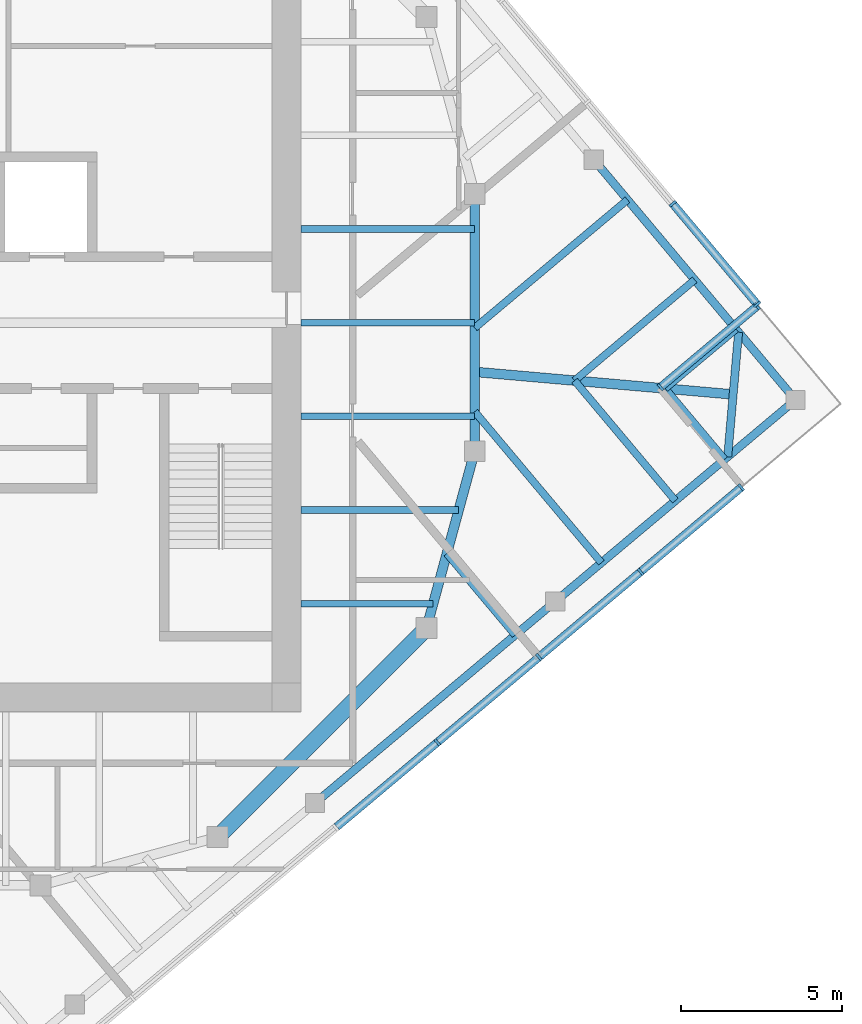
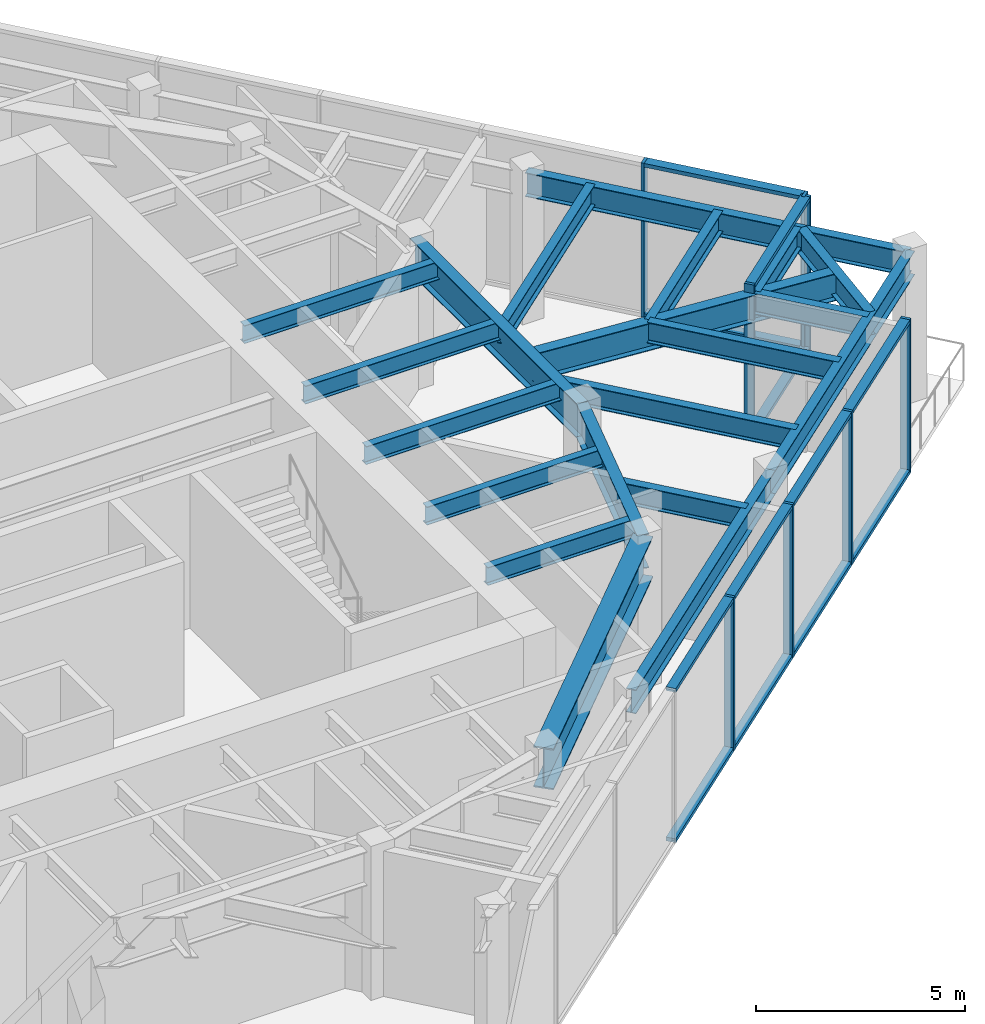
# One storey, part 4 of 11: 20 beams, 20 members, 3 elements without a shape of their own.
"""IFC4 building model written with IfcOpenShell, lengths in metres."""

from ifc_helpers import new_model, si_unit, direction, frame, origin, origin_2d, place, context, subcontext, project, spatial, rectangle, i_section, extrude, material, material_profile, profile_set, type_object, element, aggregate, save


model = new_model("IFC4")

# Units and contexts
model_context = context("Model", 3, precision=1e-05, world=origin(), true_north=direction((0.0, 1.0)))
body_context = subcontext(model_context, "Body", "Model", "MODEL_VIEW")
ifc_project = project(units=[si_unit("LENGTHUNIT", "METRE"), si_unit("AREAUNIT", "SQUARE_METRE"), si_unit("VOLUMEUNIT", "CUBIC_METRE"), si_unit("PLANEANGLEUNIT", "RADIAN"), si_unit("MASSUNIT", "GRAM", prefix="KILO")], contexts=[model_context])

# Site, building, storey
site_placement = place(None, origin())
site = spatial("IfcSite", under=ifc_project, at=site_placement, CompositionType="ELEMENT")
building_placement = place(site_placement, origin())
building = spatial("IfcBuilding", under=site, at=building_placement, Name="Torsade Residences", CompositionType="ELEMENT")
storey_placement = place(building_placement, frame((0.0, 0.0, 304.300048828125)))
storey = spatial("IfcBuildingStorey", under=building, at=storey_placement, Name="L84", CompositionType="ELEMENT", Elevation=304.300048828125)

# Beams
ifc_material_1 = material(Name="Steel grade 300", Category="steel")
ifc_material_profile_1 = material_profile(ifc_material_1, i_section(OverallWidth=0.300048828125, OverallDepth=0.800048828125, WebThickness=0.010009765625, FlangeThickness=0.02001953125, at=origin_2d()), Name="800WB146")
ifc_profile_set_1 = profile_set([ifc_material_profile_1], Name="Steel grade 300")
beam_type_1 = type_object("IfcBeamType", Name="CORNER GIRDER 800WB146", PredefinedType="BEAM", material=ifc_profile_set_1)
beam_1_placement = place(storey_placement, frame((65.53515625, 27.765869140625, 3.849853515625), z_axis=(-0.996193191806, 0.087172957961, 0.0), x_axis=(-0.087172957961, -0.996193191806, 0.0)))
element("IfcBeam", 1, at=beam_1_placement, inside=storey, type_object=beam_type_1, Name="Corner girder 05 RF", PredefinedType="BEAM", context=body_context, shape_type="SweptSolid", body=[
    extrude(i_section(OverallWidth=0.300048828125, OverallDepth=0.800048828125, WebThickness=0.010009765625, FlangeThickness=0.02001953125, at=origin_2d()), origin(), (0.0, 0.0, 1.0), 8.06591796875),
])
ifc_material_2 = material(Name="Steel grade 300", Category="steel")
ifc_material_profile_2 = material_profile(ifc_material_2, i_section(OverallWidth=0.25, OverallDepth=0.699951171875, WebThickness=0.010009765625, FlangeThickness=0.02001953125, at=origin_2d()), Name="700WB130")
ifc_profile_set_2 = profile_set([ifc_material_profile_2], Name="Steel grade 300")
beam_type_2 = type_object("IfcBeamType", Name="CORNER TRIMMER 700WB130", PredefinedType="BEAM", material=ifc_profile_set_2)
beam_2_placement = place(storey_placement, frame((65.70458984375, 29.703125, 3.89990234375), z_axis=(-0.087133464362, -0.996196646947, 0.0), x_axis=(0.996196646947, -0.087133464362, 0.0)))
element("IfcBeam", 2, at=beam_2_placement, inside=storey, type_object=beam_type_2, Name="Corner trimmer 05 RF", PredefinedType="BEAM", context=body_context, shape_type="SweptSolid", body=[
    extrude(i_section(OverallWidth=0.25, OverallDepth=0.699951171875, WebThickness=0.010009765625, FlangeThickness=0.02001953125, at=origin_2d()), origin(), (0.0, 0.0, 1.0), 3.88916015625),
])
ifc_material_3 = material(Name="Steel grade 300", Category="steel")
ifc_material_profile_3 = material_profile(ifc_material_3, i_section(OverallWidth=0.25, OverallDepth=0.699951171875, WebThickness=0.010009765625, FlangeThickness=0.02001953125, at=origin_2d()), Name="700WB130")
ifc_profile_set_3 = profile_set([ifc_material_profile_3], Name="Steel grade 300")
beam_type_3 = type_object("IfcBeamType", Name="EDGE BEAM 700WB130", PredefinedType="SPANDREL", material=ifc_profile_set_3)
for number, where, z_axis, x_axis, name in (
    (3, (52.534423828125, 15.06201171875, 3.89990234375), (0.766028856906, 0.642806184154, 0.0), (-0.642806184154, 0.766028856906, 0.0), "Edge beam 03 RF"),
    (4, (60.003173828125, 21.329345703125, 3.89990234375), (0.766051532934, 0.642779160279, 0.0), (-0.642779160279, 0.766051532934, 0.0), "Edge beam 04 RF"),
    (5, (67.47216796875, 27.596435546875, 3.89990234375), (-0.642779160279, 0.766051532934, 0.0), (-0.766051532934, -0.642779160279, 0.0), "Edge beam 05 RF"),
):
    element("IfcBeam", number, at=place(storey_placement, frame(where, z_axis=z_axis, x_axis=x_axis)), inside=storey, type_object=beam_type_3, Name=name, PredefinedType="SPANDREL", context=body_context, shape_type="SweptSolid", body=[
        extrude(i_section(OverallWidth=0.25, OverallDepth=0.699951171875, WebThickness=0.010009765625, FlangeThickness=0.02001953125, at=origin_2d()), origin(), (0.0, 0.0, 1.0), 9.75),
    ])
ifc_material_4 = material(Name="Steel grade 300", Category="steel")
ifc_material_profile_4 = material_profile(ifc_material_4, i_section(OverallWidth=0.208984375, OverallDepth=0.528076171875, WebThickness=0.009521484375, FlangeThickness=0.01318359375, FilletRadius=0.013916015625, at=origin_2d()), Name="530UB82.0")
ifc_profile_set_4 = profile_set([ifc_material_profile_4], Name="Steel grade 300")
beam_type_4 = type_object("IfcBeamType", Name="INNER FLOOR BEAM 530UB82.0", PredefinedType="JOIST", material=ifc_profile_set_4)
beam_3_placement = place(storey_placement, frame((52.10009765625, 21.262451171875, 3.98583984375), z_axis=(1.0, 0.0, 0.0), x_axis=(0.0, 1.0, 0.0)))
element("IfcBeam", 6, at=beam_3_placement, inside=storey, type_object=beam_type_4, Name="Inner floor beam IE01 RF", PredefinedType="JOIST", context=body_context, shape_type="SweptSolid", body=[
    extrude(i_section(OverallWidth=0.208984375, OverallDepth=0.528076171875, WebThickness=0.009521484375, FlangeThickness=0.01318359375, FilletRadius=0.013916015625, at=origin_2d()), origin(), (0.0, 0.0, 1.0), 4.10791015625),
])
beam_4_placement = place(storey_placement, frame((52.10009765625, 24.175048828125, 3.98583984375), z_axis=(1.0, 0.0, 0.0), x_axis=(0.0, 1.0, 0.0)))
element("IfcBeam", 7, at=beam_4_placement, inside=storey, type_object=beam_type_4, Name="Inner floor beam IE02 RF", PredefinedType="JOIST", context=body_context, shape_type="SweptSolid", body=[
    extrude(i_section(OverallWidth=0.208984375, OverallDepth=0.528076171875, WebThickness=0.009521484375, FlangeThickness=0.01318359375, FilletRadius=0.013916015625, at=origin_2d()), origin(), (0.0, 0.0, 1.0), 4.902099609375),
])
for number, where, z_axis, x_axis, name in (
    (8, (52.10009765625, 27.08740234375, 3.98583984375), (1.0, 0.0, 0.0), (0.0, 1.0, 0.0), "Inner floor beam IE03 RF"),
    (9, (52.10009765625, 30.0, 3.98583984375), (1.0, 0.0, 0.0), (0.0, 1.0, 0.0), "Inner floor beam IE04 RF"),
    (10, (52.10009765625, 32.91259765625, 3.98583984375), (1.0, 0.0, 0.0), (0.0, 1.0, 0.0), "Inner floor beam IE05 RF"),
):
    element("IfcBeam", number, at=place(storey_placement, frame(where, z_axis=z_axis, x_axis=x_axis)), inside=storey, type_object=beam_type_4, Name=name, PredefinedType="JOIST", context=body_context, shape_type="SweptSolid", body=[
        extrude(i_section(OverallWidth=0.208984375, OverallDepth=0.528076171875, WebThickness=0.009521484375, FlangeThickness=0.01318359375, FilletRadius=0.013916015625, at=origin_2d()), origin(), (0.0, 0.0, 1.0), 5.39990234375),
    ])

# Curtain wall, members
ifc_material_5 = material(Name="Aluminium and glass", Category="aluminium")
curtain_wall_type = type_object("IfcCurtainWallType", Name="PLANT LEVEL LOUVRED CURTAIN WALL", PredefinedType="NOTDEFINED", material=ifc_material_5)
curtain_wall_1_placement = place(storey_placement, origin())
curtain_wall_1 = element("IfcCurtainWall", 11, at=curtain_wall_1_placement, inside=storey, type_object=curtain_wall_type, Name="Curtain wall L84 face 1", PredefinedType="NOTDEFINED")
ifc_material_6 = material(Name="Aluminium mullion", Category="aluminium")
ifc_material_profile_5 = material_profile(ifc_material_6, rectangle(XDim=0.25, YDim=0.080078125, at=origin_2d()), Name="LOUVRE WALL MULLION 250x80")
ifc_profile_set_5 = profile_set([ifc_material_profile_5], Name="Aluminium mullion")
member_type_1 = type_object("IfcMemberType", Name="LOUVRE WALL MULLION 250x80", PredefinedType="MULLION", material=ifc_profile_set_5)
member_1_placement = place(storey_placement, frame((56.337158203125, 16.947509765625, 0.0), z_axis=(0.0, 0.0, 1.0), x_axis=(-0.642787616853, 0.766044437106, 0.0)))
member_1 = element("IfcMember", 12, at=member_1_placement, type_object=member_type_1, Name="Mullion 6", PredefinedType="MULLION", context=body_context, shape_type="SweptSolid", body=[
    extrude(rectangle(XDim=0.25, YDim=0.080078125, at=origin_2d()), origin(), (0.0, 0.0, 1.0), 4.5),
])
member_2_placement = place(storey_placement, frame((59.4970703125, 19.59912109375, 0.0), z_axis=(0.0, 0.0, 1.0), x_axis=(-0.642787616853, 0.766044437106, 0.0)))
member_2 = element("IfcMember", 13, at=member_2_placement, type_object=member_type_1, Name="Mullion 7", PredefinedType="MULLION", context=body_context, shape_type="SweptSolid", body=[
    extrude(rectangle(XDim=0.25, YDim=0.080078125, at=origin_2d()), origin(), (0.0, 0.0, 1.0), 4.5),
])
member_3_placement = place(storey_placement, frame((62.656982421875, 22.25048828125, 0.0), z_axis=(0.0, 0.0, 1.0), x_axis=(-0.642787616853, 0.766044437106, 0.0)))
member_3 = element("IfcMember", 14, at=member_3_placement, type_object=member_type_1, Name="Mullion 8", PredefinedType="MULLION", context=body_context, shape_type="SweptSolid", body=[
    extrude(rectangle(XDim=0.25, YDim=0.080078125, at=origin_2d()), origin(), (0.0, 0.0, 1.0), 4.5),
])
member_4_placement = place(storey_placement, frame((65.7861328125, 24.87646484375, 0.0), z_axis=(0.0, 0.0, 1.0), x_axis=(-0.642787616853, 0.766044437106, 0.0)))
member_4 = element("IfcMember", 15, at=member_4_placement, type_object=member_type_1, Name="Mullion 9", PredefinedType="MULLION", context=body_context, shape_type="SweptSolid", body=[
    extrude(rectangle(XDim=0.25, YDim=0.080078125, at=origin_2d()), origin(), (0.0, 0.0, 1.0), 4.5),
])

curtain_wall_2_placement = place(storey_placement, origin())
curtain_wall_2 = element("IfcCurtainWall", 16, at=curtain_wall_2_placement, inside=storey, type_object=curtain_wall_type, Name="Curtain wall L84 face 3", PredefinedType="NOTDEFINED")
member_5_placement = place(storey_placement, frame((63.2763671875, 27.991943359375, 0.0), z_axis=(0.0, 0.0, 1.0), x_axis=(-0.642787664022, 0.766044397526, 0.0)))
member_5 = element("IfcMember", 17, at=member_5_placement, type_object=member_type_1, Name="Mullion 1", PredefinedType="MULLION", context=body_context, shape_type="SweptSolid", body=[
    extrude(rectangle(XDim=0.25, YDim=0.080078125, at=origin_2d()), origin(), (0.0, 0.0, 1.0), 4.5),
])
member_6_placement = place(storey_placement, frame((66.279296875, 30.51171875, 0.0), z_axis=(0.0, 0.0, 1.0), x_axis=(-0.642787664022, 0.766044397526, 0.0)))
member_6 = element("IfcMember", 18, at=member_6_placement, type_object=member_type_1, Name="Mullion 2", PredefinedType="MULLION", context=body_context, shape_type="SweptSolid", body=[
    extrude(rectangle(XDim=0.25, YDim=0.080078125, at=origin_2d()), origin(), (0.0, 0.0, 1.0), 4.5),
])

curtain_wall_3_placement = place(storey_placement, origin())
curtain_wall_3 = element("IfcCurtainWall", 19, at=curtain_wall_3_placement, inside=storey, type_object=curtain_wall_type, Name="Curtain wall L84 face 4", PredefinedType="NOTDEFINED")
member_7_placement = place(storey_placement, frame((66.2841796875, 30.568115234375, 0.0), z_axis=(0.0, 0.0, 1.0), x_axis=(-0.766044437106, -0.642787616853, 0.0)))
member_7 = element("IfcMember", 20, at=member_7_placement, type_object=member_type_1, Name="Mullion 1", PredefinedType="MULLION", context=body_context, shape_type="SweptSolid", body=[
    extrude(rectangle(XDim=0.25, YDim=0.080078125, at=origin_2d()), origin(), (0.0, 0.0, 1.0), 4.5),
])
member_8_placement = place(storey_placement, frame((63.658447265625, 33.697265625, 0.0), z_axis=(0.0, 0.0, 1.0), x_axis=(-0.766044437106, -0.642787616853, 0.0)))
member_8 = element("IfcMember", 21, at=member_8_placement, type_object=member_type_1, Name="Mullion 2", PredefinedType="MULLION", context=body_context, shape_type="SweptSolid", body=[
    extrude(rectangle(XDim=0.25, YDim=0.080078125, at=origin_2d()), origin(), (0.0, 0.0, 1.0), 4.5),
])

# Member
ifc_material_7 = material(Name="Aluminium transom", Category="aluminium")
ifc_material_profile_6 = material_profile(ifc_material_7, rectangle(XDim=0.25, YDim=0.110107421875, at=origin_2d()), Name="LOUVRE WALL TRANSOM 250x110")
ifc_profile_set_6 = profile_set([ifc_material_profile_6], Name="Aluminium transom")
member_type_2 = type_object("IfcMemberType", Name="LOUVRE WALL TRANSOM 250x110", PredefinedType="USERDEFINED", material=ifc_profile_set_6)
member_9_placement = place(storey_placement, frame((53.207763671875, 14.32177734375, 0.054931640625), z_axis=(0.766040060023, 0.642792833221, 0.0), x_axis=(-0.642792833221, 0.766040060023, 0.0)))
member_9 = element("IfcMember", 22, at=member_9_placement, type_object=member_type_2, Name="Transom 5.1", ObjectType="TRANSOM", PredefinedType="USERDEFINED", context=body_context, shape_type="SweptSolid", body=[
    extrude(rectangle(XDim=0.25, YDim=0.110107421875, at=origin_2d()), origin(), (0.0, 0.0, 1.0), 4.044921875),
])

member_10_placement = place(storey_placement, frame((53.207763671875, 14.32177734375, 4.445068359375), z_axis=(0.766040060023, 0.642792833221, 0.0), x_axis=(-0.642792833221, 0.766040060023, 0.0)))
member_10 = element("IfcMember", 23, at=member_10_placement, type_object=member_type_2, Name="Transom 5.2", ObjectType="TRANSOM", PredefinedType="USERDEFINED", context=body_context, shape_type="SweptSolid", body=[
    extrude(rectangle(XDim=0.25, YDim=0.110107421875, at=origin_2d()), origin(), (0.0, 0.0, 1.0), 4.044921875),
])

member_11_placement = place(storey_placement, frame((56.36767578125, 16.973388671875, 0.054931640625), z_axis=(0.766040060023, 0.642792833221, 0.0), x_axis=(-0.642792833221, 0.766040060023, 0.0)))
member_11 = element("IfcMember", 24, at=member_11_placement, type_object=member_type_2, Name="Transom 6.1", ObjectType="TRANSOM", PredefinedType="USERDEFINED", context=body_context, shape_type="SweptSolid", body=[
    extrude(rectangle(XDim=0.25, YDim=0.110107421875, at=origin_2d()), origin(), (0.0, 0.0, 1.0), 4.044921875),
])

member_12_placement = place(storey_placement, frame((56.36767578125, 16.973388671875, 4.445068359375), z_axis=(0.766040060023, 0.642792833221, 0.0), x_axis=(-0.642792833221, 0.766040060023, 0.0)))
member_12 = element("IfcMember", 25, at=member_12_placement, type_object=member_type_2, Name="Transom 6.2", ObjectType="TRANSOM", PredefinedType="USERDEFINED", context=body_context, shape_type="SweptSolid", body=[
    extrude(rectangle(XDim=0.25, YDim=0.110107421875, at=origin_2d()), origin(), (0.0, 0.0, 1.0), 4.044921875),
])

member_13_placement = place(storey_placement, frame((59.527587890625, 19.624755859375, 0.054931640625), z_axis=(0.766040060023, 0.642792833221, 0.0), x_axis=(-0.642792833221, 0.766040060023, 0.0)))
member_13 = element("IfcMember", 26, at=member_13_placement, type_object=member_type_2, Name="Transom 7.1", ObjectType="TRANSOM", PredefinedType="USERDEFINED", context=body_context, shape_type="SweptSolid", body=[
    extrude(rectangle(XDim=0.25, YDim=0.110107421875, at=origin_2d()), origin(), (0.0, 0.0, 1.0), 4.044921875),
])

member_14_placement = place(storey_placement, frame((59.527587890625, 19.624755859375, 4.445068359375), z_axis=(0.766040060023, 0.642792833221, 0.0), x_axis=(-0.642792833221, 0.766040060023, 0.0)))
member_14 = element("IfcMember", 27, at=member_14_placement, type_object=member_type_2, Name="Transom 7.2", ObjectType="TRANSOM", PredefinedType="USERDEFINED", context=body_context, shape_type="SweptSolid", body=[
    extrude(rectangle(XDim=0.25, YDim=0.110107421875, at=origin_2d()), origin(), (0.0, 0.0, 1.0), 4.044921875),
])

member_15_placement = place(storey_placement, frame((62.6875, 22.2763671875, 0.054931640625), z_axis=(0.766073410227, 0.642753086451, 0.0), x_axis=(-0.642753086451, 0.766073410227, 0.0)))
member_15 = element("IfcMember", 28, at=member_15_placement, type_object=member_type_2, Name="Transom 8.1", ObjectType="TRANSOM", PredefinedType="USERDEFINED", context=body_context, shape_type="SweptSolid", body=[
    extrude(rectangle(XDim=0.25, YDim=0.110107421875, at=origin_2d()), origin(), (0.0, 0.0, 1.0), 4.0048828125),
])

member_16_placement = place(storey_placement, frame((62.6875, 22.2763671875, 4.445068359375), z_axis=(0.766073410227, 0.642753086451, 0.0), x_axis=(-0.642753086451, 0.766073410227, 0.0)))
member_16 = element("IfcMember", 29, at=member_16_placement, type_object=member_type_2, Name="Transom 8.2", ObjectType="TRANSOM", PredefinedType="USERDEFINED", context=body_context, shape_type="SweptSolid", body=[
    extrude(rectangle(XDim=0.25, YDim=0.110107421875, at=origin_2d()), origin(), (0.0, 0.0, 1.0), 4.0048828125),
])

aggregate(curtain_wall_1, [member_1, member_2, member_3, member_4, member_9, member_10, member_11, member_12, member_13, member_14, member_15, member_16])

member_17_placement = place(storey_placement, frame((63.30712890625, 28.017578125, 0.054931640625), z_axis=(0.765996615953, 0.642844603577, 0.0), x_axis=(-0.642844603577, 0.765996615953, 0.0)))
member_17 = element("IfcMember", 30, at=member_17_placement, type_object=member_type_2, Name="Transom 1.1", ObjectType="TRANSOM", PredefinedType="USERDEFINED", context=body_context, shape_type="SweptSolid", body=[
    extrude(rectangle(XDim=0.25, YDim=0.110107421875, at=origin_2d()), origin(), (0.0, 0.0, 1.0), 3.840087890625),
])

member_18_placement = place(storey_placement, frame((63.30712890625, 28.017578125, 4.445068359375), z_axis=(0.765996615953, 0.642844603577, 0.0), x_axis=(-0.642844603577, 0.765996615953, 0.0)))
member_18 = element("IfcMember", 31, at=member_18_placement, type_object=member_type_2, Name="Transom 1.2", ObjectType="TRANSOM", PredefinedType="USERDEFINED", context=body_context, shape_type="SweptSolid", body=[
    extrude(rectangle(XDim=0.25, YDim=0.110107421875, at=origin_2d()), origin(), (0.0, 0.0, 1.0), 3.840087890625),
])

aggregate(curtain_wall_2, [member_5, member_6, member_17, member_18])

member_19_placement = place(storey_placement, frame((66.258544921875, 30.5986328125, 0.054931640625), z_axis=(-0.642788859341, 0.766043394532, 0.0), x_axis=(-0.766043394532, -0.642788859341, 0.0)))
member_19 = element("IfcMember", 32, at=member_19_placement, type_object=member_type_2, Name="Transom 1.1", ObjectType="TRANSOM", PredefinedType="USERDEFINED", context=body_context, shape_type="SweptSolid", body=[
    extrude(rectangle(XDim=0.25, YDim=0.110107421875, at=origin_2d()), origin(), (0.0, 0.0, 1.0), 4.005126953125),
])

member_20_placement = place(storey_placement, frame((66.258544921875, 30.5986328125, 4.445068359375), z_axis=(-0.642788859341, 0.766043394532, 0.0), x_axis=(-0.766043394532, -0.642788859341, 0.0)))
member_20 = element("IfcMember", 33, at=member_20_placement, type_object=member_type_2, Name="Transom 1.2", ObjectType="TRANSOM", PredefinedType="USERDEFINED", context=body_context, shape_type="SweptSolid", body=[
    extrude(rectangle(XDim=0.25, YDim=0.110107421875, at=origin_2d()), origin(), (0.0, 0.0, 1.0), 4.005126953125),
])

aggregate(curtain_wall_3, [member_7, member_8, member_19, member_20])

# Beams
ifc_material_8 = material(Name="Steel grade 300", Category="steel")
ifc_material_profile_7 = material_profile(ifc_material_8, i_section(OverallWidth=0.5, OverallDepth=1.199951171875, WebThickness=0.01611328125, FlangeThickness=0.0400390625, at=origin_2d()), Name="1200WB455")
ifc_profile_set_7 = profile_set([ifc_material_profile_7], Name="Steel grade 300")
beam_type_5 = type_object("IfcBeamType", Name="RING CORNER GIRDER 1200WB455", PredefinedType="BEAM", material=ifc_profile_set_7)
beam_5_placement = place(storey_placement, frame((49.5, 14.0, 3.64990234375), z_axis=(0.707106781187, 0.707106781187, 0.0), x_axis=(-0.707106781187, 0.707106781187, 0.0)))
element("IfcBeam", 34, at=beam_5_placement, inside=storey, type_object=beam_type_5, Name="Ring girder IR15 RF", PredefinedType="BEAM", context=body_context, shape_type="SweptSolid", body=[
    extrude(i_section(OverallWidth=0.5, OverallDepth=1.199951171875, WebThickness=0.01611328125, FlangeThickness=0.0400390625, at=origin_2d()), origin(), (0.0, 0.0, 1.0), 9.1923828125),
])
ifc_material_9 = material(Name="Steel grade 300", Category="steel")
ifc_material_profile_8 = material_profile(ifc_material_9, i_section(OverallWidth=0.300048828125, OverallDepth=1.0, WebThickness=0.01611328125, FlangeThickness=0.028076171875, at=origin_2d()), Name="1000WB215")
ifc_profile_set_8 = profile_set([ifc_material_profile_8], Name="Steel grade 300")
beam_type_6 = type_object("IfcBeamType", Name="RING GIRDER 1000WB215", PredefinedType="BEAM", material=ifc_profile_set_8)
beam_6_placement = place(storey_placement, frame((57.5, 26.0, 3.75), z_axis=(0.0, 1.0, 0.0), x_axis=(-1.0, 0.0, 0.0)))
element("IfcBeam", 35, at=beam_6_placement, inside=storey, type_object=beam_type_6, Name="Ring girder IR01 RF", PredefinedType="BEAM", context=body_context, shape_type="SweptSolid", body=[
    extrude(i_section(OverallWidth=0.300048828125, OverallDepth=1.0, WebThickness=0.01611328125, FlangeThickness=0.028076171875, at=origin_2d()), origin(), (0.0, 0.0, 1.0), 8.0),
])
beam_7_placement = place(storey_placement, frame((56.0, 20.5, 3.75), z_axis=(0.263117405792, 0.964763821238, 0.0), x_axis=(-0.964763821238, 0.263117405792, 0.0)))
element("IfcBeam", 36, at=beam_7_placement, inside=storey, type_object=beam_type_6, Name="Ring girder IR16 RF", PredefinedType="BEAM", context=body_context, shape_type="SweptSolid", body=[
    extrude(i_section(OverallWidth=0.300048828125, OverallDepth=1.0, WebThickness=0.01611328125, FlangeThickness=0.028076171875, at=origin_2d()), origin(), (0.0, 0.0, 1.0), 5.700927734375),
])
ifc_material_10 = material(Name="Steel grade 300", Category="steel")
ifc_material_profile_9 = material_profile(ifc_material_10, i_section(OverallWidth=0.22900390625, OverallDepth=0.612060546875, WebThickness=0.011962890625, FlangeThickness=0.01953125, FilletRadius=0.013916015625, at=origin_2d()), Name="610UB125")
ifc_profile_set_9 = profile_set([ifc_material_profile_9], Name="Steel grade 300")
beam_type_7 = type_object("IfcBeamType", Name="SECONDARY BEAM 610UB125", PredefinedType="JOIST", material=ifc_profile_set_9)
beam_8_placement = place(storey_placement, frame((58.758544921875, 20.28466796875, 3.94384765625), z_axis=(-0.642786956891, 0.766044990879, 0.0), x_axis=(-0.766044990879, -0.642786956891, 0.0)))
element("IfcBeam", 37, at=beam_8_placement, inside=storey, type_object=beam_type_7, Name="Floor beam FS09 RF", PredefinedType="JOIST", context=body_context, shape_type="SweptSolid", body=[
    extrude(i_section(OverallWidth=0.22900390625, OverallDepth=0.612060546875, WebThickness=0.011962890625, FlangeThickness=0.01953125, FilletRadius=0.013916015625, at=origin_2d()), origin(), (0.0, 0.0, 1.0), 3.307861328125),
])
beam_9_placement = place(storey_placement, frame((61.439697265625, 22.534423828125, 3.94384765625), z_axis=(-0.642794037701, 0.766039049329, 0.0), x_axis=(-0.766039049329, -0.642794037701, 0.0)))
element("IfcBeam", 38, at=beam_9_placement, inside=storey, type_object=beam_type_7, Name="Floor beam FS10 RF", PredefinedType="JOIST", context=body_context, shape_type="SweptSolid", body=[
    extrude(i_section(OverallWidth=0.22900390625, OverallDepth=0.612060546875, WebThickness=0.011962890625, FlangeThickness=0.01953125, FilletRadius=0.013916015625, at=origin_2d()), origin(), (0.0, 0.0, 1.0), 6.12890625),
])
beam_10_placement = place(storey_placement, frame((63.73779296875, 24.462890625, 3.94384765625), z_axis=(-0.642791490223, 0.766041186946, 0.0), x_axis=(-0.766041186946, -0.642791490223, 0.0)))
element("IfcBeam", 39, at=beam_10_placement, inside=storey, type_object=beam_type_7, Name="Floor beam FS11 RF", PredefinedType="JOIST", context=body_context, shape_type="SweptSolid", body=[
    extrude(i_section(OverallWidth=0.22900390625, OverallDepth=0.612060546875, WebThickness=0.011962890625, FlangeThickness=0.01953125, FilletRadius=0.013916015625, at=origin_2d()), origin(), (0.0, 0.0, 1.0), 4.875),
])
for number, where, z_axis, x_axis, name in (
    (40, (65.269775390625, 25.74853515625, 3.94384765625), (-0.642761807001, 0.766066093402, 0.0), (-0.766066093402, -0.642761807001, 0.0), "Floor beam FS12 RF"),
    (41, (65.624267578125, 29.798828125, 3.94384765625), (-0.766066093402, -0.642761807001, 0.0), (0.642761807001, -0.766066093402, 0.0), "Floor beam FE01 RF"),
):
    element("IfcBeam", number, at=place(storey_placement, frame(where, z_axis=z_axis, x_axis=x_axis)), inside=storey, type_object=beam_type_7, Name=name, PredefinedType="JOIST", context=body_context, shape_type="SweptSolid", body=[
        extrude(i_section(OverallWidth=0.22900390625, OverallDepth=0.612060546875, WebThickness=0.011962890625, FlangeThickness=0.01953125, FilletRadius=0.013916015625, at=origin_2d()), origin(), (0.0, 0.0, 1.0), 2.875),
    ])
beam_11_placement = place(storey_placement, frame((64.338623046875, 31.3310546875, 3.94384765625), z_axis=(-0.766016526982, -0.642820877376, 0.0), x_axis=(0.642820877376, -0.766016526982, 0.0)))
element("IfcBeam", 42, at=beam_11_placement, inside=storey, type_object=beam_type_7, Name="Floor beam FE02 RF", PredefinedType="JOIST", context=body_context, shape_type="SweptSolid", body=[
    extrude(i_section(OverallWidth=0.22900390625, OverallDepth=0.612060546875, WebThickness=0.011962890625, FlangeThickness=0.01953125, FilletRadius=0.013916015625, at=origin_2d()), origin(), (0.0, 0.0, 1.0), 4.875),
])
beam_12_placement = place(storey_placement, frame((62.24951171875, 33.820556640625, 3.94384765625), z_axis=(-0.766041422722, -0.642791209238, 0.0), x_axis=(0.642791209238, -0.766041422722, 0.0)))
element("IfcBeam", 43, at=beam_12_placement, inside=storey, type_object=beam_type_7, Name="Floor beam FE03 RF", PredefinedType="JOIST", context=body_context, shape_type="SweptSolid", body=[
    extrude(i_section(OverallWidth=0.22900390625, OverallDepth=0.612060546875, WebThickness=0.011962890625, FlangeThickness=0.01953125, FilletRadius=0.013916015625, at=origin_2d()), origin(), (0.0, 0.0, 1.0), 6.199951171875),
])

save(model, "model.ifc")
